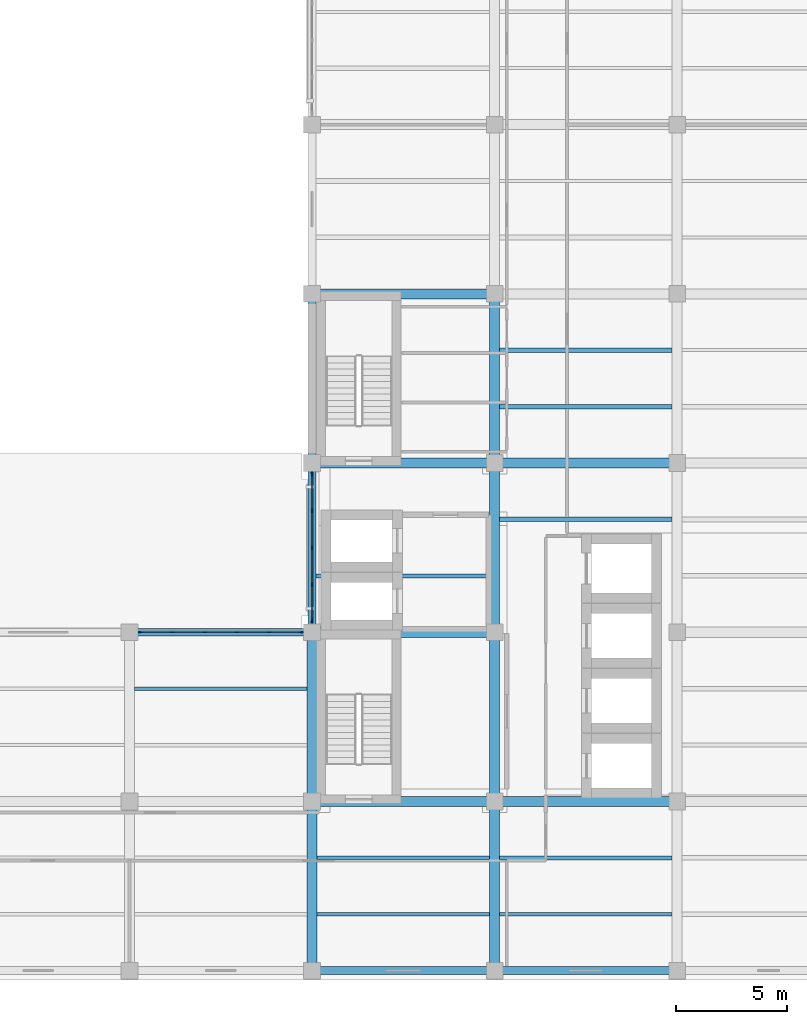
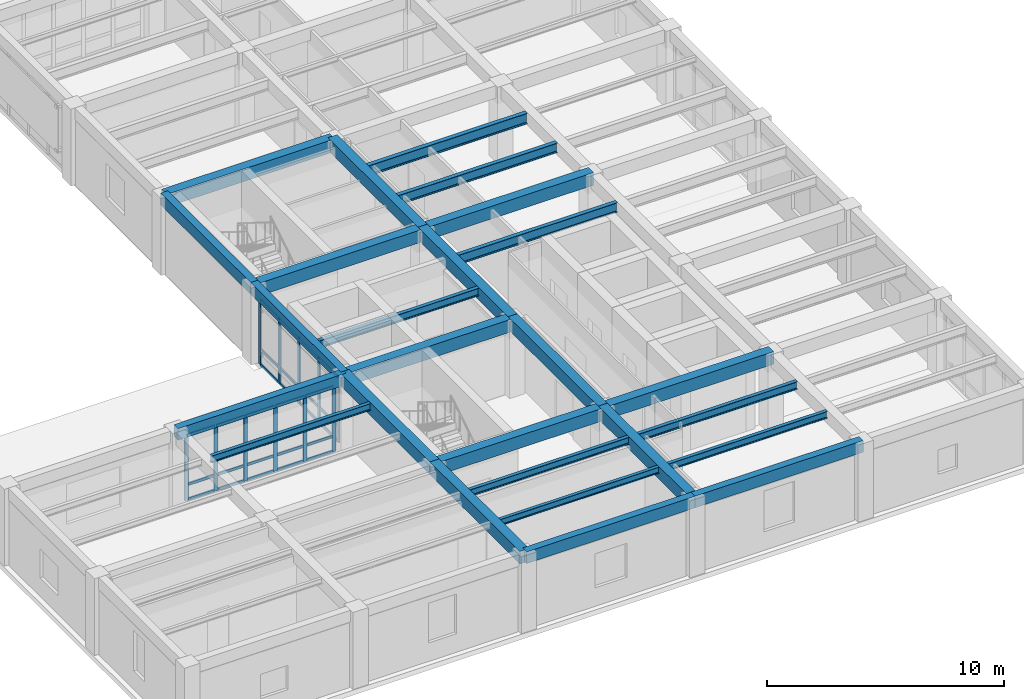
# One storey, part 2 of 12: 38 members, 26 beams, 2 elements without a shape of their own.
"""IFC4 building model written with IfcOpenShell, lengths in metres."""

from ifc_helpers import new_model, si_unit, direction, frame, origin, origin_2d, place, context, subcontext, project, spatial, rectangle, i_section, extrude, material, material_profile, profile_set, type_object, element, aggregate, save


model = new_model("IFC4")

# Units and contexts
model_context = context("Model", 3, precision=1e-05, world=origin(), true_north=direction((0.0, 1.0)))
body_context = subcontext(model_context, "Body", "Model", "MODEL_VIEW")
ifc_project = project(units=[si_unit("LENGTHUNIT", "METRE"), si_unit("AREAUNIT", "SQUARE_METRE"), si_unit("VOLUMEUNIT", "CUBIC_METRE"), si_unit("PLANEANGLEUNIT", "RADIAN"), si_unit("MASSUNIT", "GRAM", prefix="KILO")], contexts=[model_context])

# Site, building, storey
site_placement = place(None, origin())
site = spatial("IfcSite", under=ifc_project, at=site_placement, CompositionType="ELEMENT")
building_placement = place(site_placement, origin())
building = spatial("IfcBuilding", under=site, at=building_placement, Name="Qandaris Square Conservatory and Botanical Centre", CompositionType="ELEMENT")
storey_placement = place(building_placement, frame((0.0, 0.0, 53.39990234375)))
storey = spatial("IfcBuildingStorey", under=building, at=storey_placement, Name="L12", CompositionType="ELEMENT", Elevation=53.39990234375)

# Beams
ifc_material_1 = material(Name="Steel S355", Category="steel")
ifc_material_profile_1 = material_profile(ifc_material_1, i_section(OverallWidth=0.199951171875, OverallDepth=0.5, WebThickness=0.01025390625, FlangeThickness=0.01611328125, FilletRadius=0.02099609375, at=origin_2d()), Name="IPE 500")
ifc_profile_set_1 = profile_set([ifc_material_profile_1], Name="Steel S355")
beam_type_1 = type_object("IfcBeamType", Name="Composite Gallery Joist IPE 500", PredefinedType="JOIST", material=ifc_profile_set_1)
for number, where, z_axis, x_axis, name in (
    (1, (147.625, 36.86669921875, 3.7001953125), (1.0, 0.0, 0.0), (0.0, 1.0, 0.0), "L12 Composite Joist 2715"),
    (2, (147.625, 41.933349609375, 3.7001953125), (1.0, 0.0, 0.0), (0.0, 1.0, 0.0), "L12 Composite Joist 2716"),
):
    element("IfcBeam", number, at=place(storey_placement, frame(where, z_axis=z_axis, x_axis=x_axis)), inside=storey, type_object=beam_type_1, Name=name, PredefinedType="JOIST", context=body_context, shape_type="SweptSolid", body=[
        extrude(i_section(OverallWidth=0.199951171875, OverallDepth=0.5, WebThickness=0.01025390625, FlangeThickness=0.01611328125, FilletRadius=0.02099609375, at=origin_2d()), origin(), (0.0, 0.0, 1.0), 7.75),
    ])
ifc_material_profile_2 = material_profile(ifc_material_1, i_section(OverallWidth=0.159912109375, OverallDepth=0.330078125, WebThickness=0.007568359375, FlangeThickness=0.011474609375, FilletRadius=0.01806640625, at=origin_2d()), Name="IPE 330")
ifc_profile_set_2 = profile_set([ifc_material_profile_2], Name="Steel S355")
beam_type_2 = type_object("IfcBeamType", Name="Composite Lab Joist IPE 330", PredefinedType="JOIST", material=ifc_profile_set_2)
beam_1_placement = place(storey_placement, frame((139.425048828125, 19.13330078125, 3.78515625), z_axis=(1.0, 0.0, 0.0), x_axis=(0.0, 1.0, 0.0)))
element("IfcBeam", 3, at=beam_1_placement, inside=storey, type_object=beam_type_2, Name="L12 Composite Joist 2706", PredefinedType="JOIST", context=body_context, shape_type="SweptSolid", body=[
    extrude(i_section(OverallWidth=0.159912109375, OverallDepth=0.330078125, WebThickness=0.007568359375, FlangeThickness=0.011474609375, FilletRadius=0.01806640625, at=origin_2d()), origin(), (0.0, 0.0, 1.0), 7.75),
])
ifc_material_profile_3 = material_profile(ifc_material_1, i_section(OverallWidth=0.169921875, OverallDepth=0.360107421875, WebThickness=0.008056640625, FlangeThickness=0.0126953125, FilletRadius=0.01806640625, at=origin_2d()), Name="IPE 360")
ifc_profile_set_3 = profile_set([ifc_material_profile_3], Name="Steel S355")
beam_type_3 = type_object("IfcBeamType", Name="Composite Lab Joist IPE 360", PredefinedType="JOIST", material=ifc_profile_set_3)
for number, where, z_axis, x_axis, name in (
    (4, (131.22509765625, 29.2666015625, 3.77001953125), (1.0, 0.0, 0.0), (0.0, 1.0, 0.0), "L12 Composite Joist 2705"),
    (5, (139.425048828125, 21.666748046875, 3.77001953125), (1.0, 0.0, 0.0), (0.0, 1.0, 0.0), "L12 Composite Joist 2707"),
    (6, (147.625, 19.13330078125, 3.77001953125), (1.0, 0.0, 0.0), (0.0, 1.0, 0.0), "L12 Composite Joist 2713"),
):
    element("IfcBeam", number, at=place(storey_placement, frame(where, z_axis=z_axis, x_axis=x_axis)), inside=storey, type_object=beam_type_3, Name=name, PredefinedType="JOIST", context=body_context, shape_type="SweptSolid", body=[
        extrude(i_section(OverallWidth=0.169921875, OverallDepth=0.360107421875, WebThickness=0.008056640625, FlangeThickness=0.0126953125, FilletRadius=0.01806640625, at=origin_2d()), origin(), (0.0, 0.0, 1.0), 7.75),
    ])
ifc_material_profile_4 = material_profile(ifc_material_1, i_section(OverallWidth=0.179931640625, OverallDepth=0.39990234375, WebThickness=0.008544921875, FlangeThickness=0.013427734375, FilletRadius=0.02099609375, at=origin_2d()), Name="IPE 400")
ifc_profile_set_4 = profile_set([ifc_material_profile_4], Name="Steel S355")
beam_type_4 = type_object("IfcBeamType", Name="Composite Plinth Joist IPE 400", PredefinedType="JOIST", material=ifc_profile_set_4)
beam_2_placement = place(storey_placement, frame((139.375, 34.333251953125, 3.75), z_axis=(1.0, 0.0, 0.0), x_axis=(0.0, 1.0, 0.0)))
element("IfcBeam", 7, at=beam_2_placement, inside=storey, type_object=beam_type_4, Name="L12 Composite Joist 2708", PredefinedType="JOIST", context=body_context, shape_type="SweptSolid", body=[
    extrude(i_section(OverallWidth=0.179931640625, OverallDepth=0.39990234375, WebThickness=0.008544921875, FlangeThickness=0.013427734375, FilletRadius=0.02099609375, at=origin_2d()), origin(), (0.0, 0.0, 1.0), 7.800048828125),
])
beam_3_placement = place(storey_placement, frame((147.625, 21.666748046875, 3.75), z_axis=(1.0, 0.0, 0.0), x_axis=(0.0, 1.0, 0.0)))
element("IfcBeam", 8, at=beam_3_placement, inside=storey, type_object=beam_type_4, Name="L12 Composite Joist 2714", PredefinedType="JOIST", context=body_context, shape_type="SweptSolid", body=[
    extrude(i_section(OverallWidth=0.179931640625, OverallDepth=0.39990234375, WebThickness=0.008544921875, FlangeThickness=0.013427734375, FilletRadius=0.02099609375, at=origin_2d()), origin(), (0.0, 0.0, 1.0), 7.75),
])

# Curtain wall, members
ifc_material_2 = material(Name="Anodised Aluminium", Category="aluminium")
curtain_wall_type_1 = type_object("IfcCurtainWallType", Name="Unitised Curtain Wall CW-4-665x336", PredefinedType="USERDEFINED", material=ifc_material_2)
curtain_wall_1_placement = place(storey_placement, origin())
curtain_wall_1 = element("IfcCurtainWall", 9, at=curtain_wall_1_placement, inside=storey, type_object=curtain_wall_type_1, Name="Curtain Wall CW-TWR-L12-4-4", ObjectType="GLAZED CURTAIN WALL", PredefinedType="USERDEFINED")
ifc_material_profile_5 = material_profile(ifc_material_2, rectangle(XDim=0.06494140625, YDim=0.179931640625, at=origin_2d()), Name="ALU-MUL 65x180")
ifc_profile_set_5 = profile_set([ifc_material_profile_5], Name="Anodised Aluminium")
member_type_1 = type_object("IfcMemberType", Name="Curtain Wall Mullion 65x180", PredefinedType="MULLION", material=ifc_profile_set_5)
member_1_placement = place(storey_placement, frame((139.199951171875, 38.892578125, 0.0), z_axis=(0.0, 0.0, 1.0), x_axis=(1.0, 0.0, 0.0)))
member_1 = element("IfcMember", 10, at=member_1_placement, type_object=member_type_1, Name="CW-4-665x336 mullion 1", PredefinedType="MULLION", context=body_context, shape_type="SweptSolid", body=[
    extrude(rectangle(XDim=0.06494140625, YDim=0.179931640625, at=origin_2d()), origin(), (0.0, 0.0, 1.0), 3.360107421875),
])
member_2_placement = place(storey_placement, frame((139.199951171875, 37.262451171875, 0.0), z_axis=(0.0, 0.0, 1.0), x_axis=(1.0, 0.0, 0.0)))
member_2 = element("IfcMember", 11, at=member_2_placement, type_object=member_type_1, Name="CW-4-665x336 mullion 2", PredefinedType="MULLION", context=body_context, shape_type="SweptSolid", body=[
    extrude(rectangle(XDim=0.06494140625, YDim=0.179931640625, at=origin_2d()), origin(), (0.0, 0.0, 1.0), 3.360107421875),
])
member_3_placement = place(storey_placement, frame((139.199951171875, 35.60009765625, 0.0), z_axis=(0.0, 0.0, 1.0), x_axis=(1.0, 0.0, 0.0)))
member_3 = element("IfcMember", 12, at=member_3_placement, type_object=member_type_1, Name="CW-4-665x336 mullion 3", PredefinedType="MULLION", context=body_context, shape_type="SweptSolid", body=[
    extrude(rectangle(XDim=0.06494140625, YDim=0.179931640625, at=origin_2d()), origin(), (0.0, 0.0, 1.0), 3.360107421875),
])
member_4_placement = place(storey_placement, frame((139.199951171875, 33.9375, 0.0), z_axis=(0.0, 0.0, 1.0), x_axis=(1.0, 0.0, 0.0)))
member_4 = element("IfcMember", 13, at=member_4_placement, type_object=member_type_1, Name="CW-4-665x336 mullion 4", PredefinedType="MULLION", context=body_context, shape_type="SweptSolid", body=[
    extrude(rectangle(XDim=0.06494140625, YDim=0.179931640625, at=origin_2d()), origin(), (0.0, 0.0, 1.0), 3.360107421875),
])
member_5_placement = place(storey_placement, frame((139.199951171875, 32.3076171875, 0.0), z_axis=(0.0, 0.0, 1.0), x_axis=(1.0, 0.0, 0.0)))
member_5 = element("IfcMember", 14, at=member_5_placement, type_object=member_type_1, Name="CW-4-665x336 mullion 5", PredefinedType="MULLION", context=body_context, shape_type="SweptSolid", body=[
    extrude(rectangle(XDim=0.06494140625, YDim=0.179931640625, at=origin_2d()), origin(), (0.0, 0.0, 1.0), 3.360107421875),
])

curtain_wall_type_2 = type_object("IfcCurtainWallType", Name="Unitised Curtain Wall CW-4-725x336", PredefinedType="USERDEFINED", material=ifc_material_2)
curtain_wall_2_placement = place(storey_placement, origin())
curtain_wall_2 = element("IfcCurtainWall", 15, at=curtain_wall_2_placement, inside=storey, type_object=curtain_wall_type_2, Name="Curtain Wall CW-TWR-L12-5-1", ObjectType="GLAZED CURTAIN WALL", PredefinedType="USERDEFINED")
member_6_placement = place(storey_placement, frame((138.6923828125, 31.800048828125, 0.0), z_axis=(0.0, 0.0, 1.0), x_axis=(0.0, -1.0, 0.0)))
member_6 = element("IfcMember", 16, at=member_6_placement, type_object=member_type_1, Name="CW-4-725x336 mullion 1", PredefinedType="MULLION", context=body_context, shape_type="SweptSolid", body=[
    extrude(rectangle(XDim=0.06494140625, YDim=0.179931640625, at=origin_2d()), origin(), (0.0, 0.0, 1.0), 3.360107421875),
])
member_7_placement = place(storey_placement, frame((137.27490234375, 31.800048828125, 0.0), z_axis=(0.0, 0.0, 1.0), x_axis=(0.0, -1.0, 0.0)))
member_7 = element("IfcMember", 17, at=member_7_placement, type_object=member_type_1, Name="CW-4-725x336 mullion 2", PredefinedType="MULLION", context=body_context, shape_type="SweptSolid", body=[
    extrude(rectangle(XDim=0.06494140625, YDim=0.179931640625, at=origin_2d()), origin(), (0.0, 0.0, 1.0), 3.360107421875),
])
member_8_placement = place(storey_placement, frame((135.824951171875, 31.800048828125, 0.0), z_axis=(0.0, 0.0, 1.0), x_axis=(0.0, -1.0, 0.0)))
member_8 = element("IfcMember", 18, at=member_8_placement, type_object=member_type_1, Name="CW-4-725x336 mullion 3", PredefinedType="MULLION", context=body_context, shape_type="SweptSolid", body=[
    extrude(rectangle(XDim=0.06494140625, YDim=0.179931640625, at=origin_2d()), origin(), (0.0, 0.0, 1.0), 3.360107421875),
])
member_9_placement = place(storey_placement, frame((134.375, 31.800048828125, 0.0), z_axis=(0.0, 0.0, 1.0), x_axis=(0.0, -1.0, 0.0)))
member_9 = element("IfcMember", 19, at=member_9_placement, type_object=member_type_1, Name="CW-4-725x336 mullion 4", PredefinedType="MULLION", context=body_context, shape_type="SweptSolid", body=[
    extrude(rectangle(XDim=0.06494140625, YDim=0.179931640625, at=origin_2d()), origin(), (0.0, 0.0, 1.0), 3.360107421875),
])
member_10_placement = place(storey_placement, frame((132.925048828125, 31.800048828125, 0.0), z_axis=(0.0, 0.0, 1.0), x_axis=(0.0, -1.0, 0.0)))
member_10 = element("IfcMember", 20, at=member_10_placement, type_object=member_type_1, Name="CW-4-725x336 mullion 5", PredefinedType="MULLION", context=body_context, shape_type="SweptSolid", body=[
    extrude(rectangle(XDim=0.06494140625, YDim=0.179931640625, at=origin_2d()), origin(), (0.0, 0.0, 1.0), 3.360107421875),
])
member_11_placement = place(storey_placement, frame((131.507568359375, 31.800048828125, 0.0), z_axis=(0.0, 0.0, 1.0), x_axis=(0.0, -1.0, 0.0)))
member_11 = element("IfcMember", 21, at=member_11_placement, type_object=member_type_1, Name="CW-4-725x336 mullion 6", PredefinedType="MULLION", context=body_context, shape_type="SweptSolid", body=[
    extrude(rectangle(XDim=0.06494140625, YDim=0.179931640625, at=origin_2d()), origin(), (0.0, 0.0, 1.0), 3.360107421875),
])

# Member
ifc_material_profile_6 = material_profile(ifc_material_2, rectangle(XDim=0.06494140625, YDim=0.139892578125, at=origin_2d()), Name="ALU-TRN 65x140")
ifc_profile_set_6 = profile_set([ifc_material_profile_6], Name="Anodised Aluminium")
member_type_2 = type_object("IfcMemberType", Name="Curtain Wall Transom 65x140", PredefinedType="USERDEFINED", material=ifc_profile_set_6)
member_12_placement = place(storey_placement, frame((139.199951171875, 38.860107421875, 0.03271484375), z_axis=(0.0, -1.0, 0.0), x_axis=(1.0, 0.0, 0.0)))
member_12 = element("IfcMember", 22, at=member_12_placement, type_object=member_type_2, Name="CW-4-665x336 transom 1.1", ObjectType="TRANSOM", PredefinedType="USERDEFINED", context=body_context, shape_type="SweptSolid", body=[
    extrude(rectangle(XDim=0.06494140625, YDim=0.139892578125, at=origin_2d()), origin(), (0.0, 0.0, 1.0), 1.565185546875),
])

member_13_placement = place(storey_placement, frame((139.199951171875, 38.860107421875, 0.806396484375), z_axis=(0.0, -1.0, 0.0), x_axis=(1.0, 0.0, 0.0)))
member_13 = element("IfcMember", 23, at=member_13_placement, type_object=member_type_2, Name="CW-4-665x336 transom 1.2", ObjectType="TRANSOM", PredefinedType="USERDEFINED", context=body_context, shape_type="SweptSolid", body=[
    extrude(rectangle(XDim=0.06494140625, YDim=0.139892578125, at=origin_2d()), origin(), (0.0, 0.0, 1.0), 1.565185546875),
])

member_14_placement = place(storey_placement, frame((139.199951171875, 38.860107421875, 3.32763671875), z_axis=(0.0, -1.0, 0.0), x_axis=(1.0, 0.0, 0.0)))
member_14 = element("IfcMember", 24, at=member_14_placement, type_object=member_type_2, Name="CW-4-665x336 transom 1.3", ObjectType="TRANSOM", PredefinedType="USERDEFINED", context=body_context, shape_type="SweptSolid", body=[
    extrude(rectangle(XDim=0.06494140625, YDim=0.139892578125, at=origin_2d()), origin(), (0.0, 0.0, 1.0), 1.565185546875),
])

member_15_placement = place(storey_placement, frame((139.199951171875, 37.22998046875, 0.03271484375), z_axis=(0.0, -1.0, 0.0), x_axis=(1.0, 0.0, 0.0)))
member_15 = element("IfcMember", 25, at=member_15_placement, type_object=member_type_2, Name="CW-4-665x336 transom 2.1", ObjectType="TRANSOM", PredefinedType="USERDEFINED", context=body_context, shape_type="SweptSolid", body=[
    extrude(rectangle(XDim=0.06494140625, YDim=0.139892578125, at=origin_2d()), origin(), (0.0, 0.0, 1.0), 1.597412109375),
])

member_16_placement = place(storey_placement, frame((139.199951171875, 37.22998046875, 0.806396484375), z_axis=(0.0, -1.0, 0.0), x_axis=(1.0, 0.0, 0.0)))
member_16 = element("IfcMember", 26, at=member_16_placement, type_object=member_type_2, Name="CW-4-665x336 transom 2.2", ObjectType="TRANSOM", PredefinedType="USERDEFINED", context=body_context, shape_type="SweptSolid", body=[
    extrude(rectangle(XDim=0.06494140625, YDim=0.139892578125, at=origin_2d()), origin(), (0.0, 0.0, 1.0), 1.597412109375),
])

member_17_placement = place(storey_placement, frame((139.199951171875, 37.22998046875, 3.32763671875), z_axis=(0.0, -1.0, 0.0), x_axis=(1.0, 0.0, 0.0)))
member_17 = element("IfcMember", 27, at=member_17_placement, type_object=member_type_2, Name="CW-4-665x336 transom 2.3", ObjectType="TRANSOM", PredefinedType="USERDEFINED", context=body_context, shape_type="SweptSolid", body=[
    extrude(rectangle(XDim=0.06494140625, YDim=0.139892578125, at=origin_2d()), origin(), (0.0, 0.0, 1.0), 1.597412109375),
])

member_18_placement = place(storey_placement, frame((139.199951171875, 35.5673828125, 0.03271484375), z_axis=(0.0, -1.0, 0.0), x_axis=(1.0, 0.0, 0.0)))
member_18 = element("IfcMember", 28, at=member_18_placement, type_object=member_type_2, Name="CW-4-665x336 transom 3.1", ObjectType="TRANSOM", PredefinedType="USERDEFINED", context=body_context, shape_type="SweptSolid", body=[
    extrude(rectangle(XDim=0.06494140625, YDim=0.139892578125, at=origin_2d()), origin(), (0.0, 0.0, 1.0), 1.597412109375),
])

member_19_placement = place(storey_placement, frame((139.199951171875, 35.5673828125, 0.806396484375), z_axis=(0.0, -1.0, 0.0), x_axis=(1.0, 0.0, 0.0)))
member_19 = element("IfcMember", 29, at=member_19_placement, type_object=member_type_2, Name="CW-4-665x336 transom 3.2", ObjectType="TRANSOM", PredefinedType="USERDEFINED", context=body_context, shape_type="SweptSolid", body=[
    extrude(rectangle(XDim=0.06494140625, YDim=0.139892578125, at=origin_2d()), origin(), (0.0, 0.0, 1.0), 1.597412109375),
])

member_20_placement = place(storey_placement, frame((139.199951171875, 35.5673828125, 3.32763671875), z_axis=(0.0, -1.0, 0.0), x_axis=(1.0, 0.0, 0.0)))
member_20 = element("IfcMember", 30, at=member_20_placement, type_object=member_type_2, Name="CW-4-665x336 transom 3.3", ObjectType="TRANSOM", PredefinedType="USERDEFINED", context=body_context, shape_type="SweptSolid", body=[
    extrude(rectangle(XDim=0.06494140625, YDim=0.139892578125, at=origin_2d()), origin(), (0.0, 0.0, 1.0), 1.597412109375),
])

member_21_placement = place(storey_placement, frame((139.199951171875, 33.905029296875, 0.03271484375), z_axis=(0.0, -1.0, 0.0), x_axis=(1.0, 0.0, 0.0)))
member_21 = element("IfcMember", 31, at=member_21_placement, type_object=member_type_2, Name="CW-4-665x336 transom 4.1", ObjectType="TRANSOM", PredefinedType="USERDEFINED", context=body_context, shape_type="SweptSolid", body=[
    extrude(rectangle(XDim=0.06494140625, YDim=0.139892578125, at=origin_2d()), origin(), (0.0, 0.0, 1.0), 1.56494140625),
])

member_22_placement = place(storey_placement, frame((139.199951171875, 33.905029296875, 0.806396484375), z_axis=(0.0, -1.0, 0.0), x_axis=(1.0, 0.0, 0.0)))
member_22 = element("IfcMember", 32, at=member_22_placement, type_object=member_type_2, Name="CW-4-665x336 transom 4.2", ObjectType="TRANSOM", PredefinedType="USERDEFINED", context=body_context, shape_type="SweptSolid", body=[
    extrude(rectangle(XDim=0.06494140625, YDim=0.139892578125, at=origin_2d()), origin(), (0.0, 0.0, 1.0), 1.56494140625),
])

member_23_placement = place(storey_placement, frame((139.199951171875, 33.905029296875, 3.32763671875), z_axis=(0.0, -1.0, 0.0), x_axis=(1.0, 0.0, 0.0)))
member_23 = element("IfcMember", 33, at=member_23_placement, type_object=member_type_2, Name="CW-4-665x336 transom 4.3", ObjectType="TRANSOM", PredefinedType="USERDEFINED", context=body_context, shape_type="SweptSolid", body=[
    extrude(rectangle(XDim=0.06494140625, YDim=0.139892578125, at=origin_2d()), origin(), (0.0, 0.0, 1.0), 1.56494140625),
])

aggregate(curtain_wall_1, [member_1, member_2, member_3, member_4, member_5, member_12, member_13, member_14, member_15, member_16, member_17, member_18, member_19, member_20, member_21, member_22, member_23])

member_24_placement = place(storey_placement, frame((138.659912109375, 31.800048828125, 0.03271484375), z_axis=(-1.0, 0.0, 0.0), x_axis=(0.0, -1.0, 0.0)))
member_24 = element("IfcMember", 34, at=member_24_placement, type_object=member_type_2, Name="CW-4-725x336 transom 1.1", ObjectType="TRANSOM", PredefinedType="USERDEFINED", context=body_context, shape_type="SweptSolid", body=[
    extrude(rectangle(XDim=0.06494140625, YDim=0.139892578125, at=origin_2d()), origin(), (0.0, 0.0, 1.0), 1.352294921875),
])

member_25_placement = place(storey_placement, frame((138.659912109375, 31.800048828125, 0.806396484375), z_axis=(-1.0, 0.0, 0.0), x_axis=(0.0, -1.0, 0.0)))
member_25 = element("IfcMember", 35, at=member_25_placement, type_object=member_type_2, Name="CW-4-725x336 transom 1.2", ObjectType="TRANSOM", PredefinedType="USERDEFINED", context=body_context, shape_type="SweptSolid", body=[
    extrude(rectangle(XDim=0.06494140625, YDim=0.139892578125, at=origin_2d()), origin(), (0.0, 0.0, 1.0), 1.352294921875),
])

member_26_placement = place(storey_placement, frame((138.659912109375, 31.800048828125, 3.32763671875), z_axis=(-1.0, 0.0, 0.0), x_axis=(0.0, -1.0, 0.0)))
member_26 = element("IfcMember", 36, at=member_26_placement, type_object=member_type_2, Name="CW-4-725x336 transom 1.3", ObjectType="TRANSOM", PredefinedType="USERDEFINED", context=body_context, shape_type="SweptSolid", body=[
    extrude(rectangle(XDim=0.06494140625, YDim=0.139892578125, at=origin_2d()), origin(), (0.0, 0.0, 1.0), 1.352294921875),
])

member_27_placement = place(storey_placement, frame((137.242431640625, 31.800048828125, 0.03271484375), z_axis=(-1.0, 0.0, 0.0), x_axis=(0.0, -1.0, 0.0)))
member_27 = element("IfcMember", 37, at=member_27_placement, type_object=member_type_2, Name="CW-4-725x336 transom 2.1", ObjectType="TRANSOM", PredefinedType="USERDEFINED", context=body_context, shape_type="SweptSolid", body=[
    extrude(rectangle(XDim=0.06494140625, YDim=0.139892578125, at=origin_2d()), origin(), (0.0, 0.0, 1.0), 1.385009765625),
])

member_28_placement = place(storey_placement, frame((137.242431640625, 31.800048828125, 0.806396484375), z_axis=(-1.0, 0.0, 0.0), x_axis=(0.0, -1.0, 0.0)))
member_28 = element("IfcMember", 38, at=member_28_placement, type_object=member_type_2, Name="CW-4-725x336 transom 2.2", ObjectType="TRANSOM", PredefinedType="USERDEFINED", context=body_context, shape_type="SweptSolid", body=[
    extrude(rectangle(XDim=0.06494140625, YDim=0.139892578125, at=origin_2d()), origin(), (0.0, 0.0, 1.0), 1.385009765625),
])

member_29_placement = place(storey_placement, frame((137.242431640625, 31.800048828125, 3.32763671875), z_axis=(-1.0, 0.0, 0.0), x_axis=(0.0, -1.0, 0.0)))
member_29 = element("IfcMember", 39, at=member_29_placement, type_object=member_type_2, Name="CW-4-725x336 transom 2.3", ObjectType="TRANSOM", PredefinedType="USERDEFINED", context=body_context, shape_type="SweptSolid", body=[
    extrude(rectangle(XDim=0.06494140625, YDim=0.139892578125, at=origin_2d()), origin(), (0.0, 0.0, 1.0), 1.385009765625),
])

member_30_placement = place(storey_placement, frame((135.79248046875, 31.800048828125, 0.03271484375), z_axis=(-1.0, 0.0, 0.0), x_axis=(0.0, -1.0, 0.0)))
member_30 = element("IfcMember", 40, at=member_30_placement, type_object=member_type_2, Name="CW-4-725x336 transom 3.1", ObjectType="TRANSOM", PredefinedType="USERDEFINED", context=body_context, shape_type="SweptSolid", body=[
    extrude(rectangle(XDim=0.06494140625, YDim=0.139892578125, at=origin_2d()), origin(), (0.0, 0.0, 1.0), 1.385009765625),
])

member_31_placement = place(storey_placement, frame((135.79248046875, 31.800048828125, 0.806396484375), z_axis=(-1.0, 0.0, 0.0), x_axis=(0.0, -1.0, 0.0)))
member_31 = element("IfcMember", 41, at=member_31_placement, type_object=member_type_2, Name="CW-4-725x336 transom 3.2", ObjectType="TRANSOM", PredefinedType="USERDEFINED", context=body_context, shape_type="SweptSolid", body=[
    extrude(rectangle(XDim=0.06494140625, YDim=0.139892578125, at=origin_2d()), origin(), (0.0, 0.0, 1.0), 1.385009765625),
])

member_32_placement = place(storey_placement, frame((135.79248046875, 31.800048828125, 3.32763671875), z_axis=(-1.0, 0.0, 0.0), x_axis=(0.0, -1.0, 0.0)))
member_32 = element("IfcMember", 42, at=member_32_placement, type_object=member_type_2, Name="CW-4-725x336 transom 3.3", ObjectType="TRANSOM", PredefinedType="USERDEFINED", context=body_context, shape_type="SweptSolid", body=[
    extrude(rectangle(XDim=0.06494140625, YDim=0.139892578125, at=origin_2d()), origin(), (0.0, 0.0, 1.0), 1.385009765625),
])

member_33_placement = place(storey_placement, frame((134.342529296875, 31.800048828125, 0.03271484375), z_axis=(-1.0, 0.0, 0.0), x_axis=(0.0, -1.0, 0.0)))
member_33 = element("IfcMember", 43, at=member_33_placement, type_object=member_type_2, Name="CW-4-725x336 transom 4.1", ObjectType="TRANSOM", PredefinedType="USERDEFINED", context=body_context, shape_type="SweptSolid", body=[
    extrude(rectangle(XDim=0.06494140625, YDim=0.139892578125, at=origin_2d()), origin(), (0.0, 0.0, 1.0), 1.385009765625),
])

member_34_placement = place(storey_placement, frame((134.342529296875, 31.800048828125, 0.806396484375), z_axis=(-1.0, 0.0, 0.0), x_axis=(0.0, -1.0, 0.0)))
member_34 = element("IfcMember", 44, at=member_34_placement, type_object=member_type_2, Name="CW-4-725x336 transom 4.2", ObjectType="TRANSOM", PredefinedType="USERDEFINED", context=body_context, shape_type="SweptSolid", body=[
    extrude(rectangle(XDim=0.06494140625, YDim=0.139892578125, at=origin_2d()), origin(), (0.0, 0.0, 1.0), 1.385009765625),
])

member_35_placement = place(storey_placement, frame((134.342529296875, 31.800048828125, 3.32763671875), z_axis=(-1.0, 0.0, 0.0), x_axis=(0.0, -1.0, 0.0)))
member_35 = element("IfcMember", 45, at=member_35_placement, type_object=member_type_2, Name="CW-4-725x336 transom 4.3", ObjectType="TRANSOM", PredefinedType="USERDEFINED", context=body_context, shape_type="SweptSolid", body=[
    extrude(rectangle(XDim=0.06494140625, YDim=0.139892578125, at=origin_2d()), origin(), (0.0, 0.0, 1.0), 1.385009765625),
])

member_36_placement = place(storey_placement, frame((132.892578125, 31.800048828125, 0.03271484375), z_axis=(-1.0, 0.0, 0.0), x_axis=(0.0, -1.0, 0.0)))
member_36 = element("IfcMember", 46, at=member_36_placement, type_object=member_type_2, Name="CW-4-725x336 transom 5.1", ObjectType="TRANSOM", PredefinedType="USERDEFINED", context=body_context, shape_type="SweptSolid", body=[
    extrude(rectangle(XDim=0.06494140625, YDim=0.139892578125, at=origin_2d()), origin(), (0.0, 0.0, 1.0), 1.3525390625),
])

member_37_placement = place(storey_placement, frame((132.892578125, 31.800048828125, 0.806396484375), z_axis=(-1.0, 0.0, 0.0), x_axis=(0.0, -1.0, 0.0)))
member_37 = element("IfcMember", 47, at=member_37_placement, type_object=member_type_2, Name="CW-4-725x336 transom 5.2", ObjectType="TRANSOM", PredefinedType="USERDEFINED", context=body_context, shape_type="SweptSolid", body=[
    extrude(rectangle(XDim=0.06494140625, YDim=0.139892578125, at=origin_2d()), origin(), (0.0, 0.0, 1.0), 1.3525390625),
])

member_38_placement = place(storey_placement, frame((132.892578125, 31.800048828125, 3.32763671875), z_axis=(-1.0, 0.0, 0.0), x_axis=(0.0, -1.0, 0.0)))
member_38 = element("IfcMember", 48, at=member_38_placement, type_object=member_type_2, Name="CW-4-725x336 transom 5.3", ObjectType="TRANSOM", PredefinedType="USERDEFINED", context=body_context, shape_type="SweptSolid", body=[
    extrude(rectangle(XDim=0.06494140625, YDim=0.139892578125, at=origin_2d()), origin(), (0.0, 0.0, 1.0), 1.3525390625),
])

aggregate(curtain_wall_2, [member_6, member_7, member_8, member_9, member_10, member_11, member_24, member_25, member_26, member_27, member_28, member_29, member_30, member_31, member_32, member_33, member_34, member_35, member_36, member_37, member_38])

# Beams
ifc_material_profile_7 = material_profile(ifc_material_1, i_section(OverallWidth=0.2099609375, OverallDepth=0.550048828125, WebThickness=0.010986328125, FlangeThickness=0.01708984375, FilletRadius=0.02392578125, at=origin_2d()), Name="IPE 550")
ifc_profile_set_7 = profile_set([ifc_material_profile_7], Name="Steel S355")
beam_type_5 = type_object("IfcBeamType", Name="Long-Span Foyer Joist IPE 550", PredefinedType="JOIST", material=ifc_profile_set_7)
beam_4_placement = place(storey_placement, frame((147.625, 44.466796875, 3.675048828125), z_axis=(1.0, 0.0, 0.0), x_axis=(0.0, 1.0, 0.0)))
element("IfcBeam", 49, at=beam_4_placement, inside=storey, type_object=beam_type_5, Name="L12 Composite Joist 2717", PredefinedType="JOIST", context=body_context, shape_type="SweptSolid", body=[
    extrude(i_section(OverallWidth=0.2099609375, OverallDepth=0.550048828125, WebThickness=0.010986328125, FlangeThickness=0.01708984375, FilletRadius=0.02392578125, at=origin_2d()), origin(), (0.0, 0.0, 1.0), 7.75),
])
ifc_material_3 = material(Name="Concrete C50/60", Category="concrete")
ifc_material_profile_8 = material_profile(ifc_material_3, rectangle(XDim=0.35009765625, YDim=0.60009765625, at=origin_2d()), Name="RC-SP 350x600")
ifc_profile_set_8 = profile_set([ifc_material_profile_8], Name="Concrete C50/60")
beam_type_6 = type_object("IfcBeamType", Name="RC Edge Spandrel Beam 350x600", PredefinedType="SPANDREL", material=ifc_profile_set_8)
beam_5_placement = place(storey_placement, frame((139.199951171875, 16.60009765625, 3.66015625), z_axis=(1.0, 0.0, 0.0), x_axis=(0.0, 1.0, 0.0)))
element("IfcBeam", 50, at=beam_5_placement, inside=storey, type_object=beam_type_6, Name="L12 Frame Beam 2646", PredefinedType="SPANDREL", context=body_context, shape_type="SweptSolid", body=[
    extrude(rectangle(XDim=0.35009765625, YDim=0.60009765625, at=origin_2d()), origin(), (0.0, 0.0, 1.0), 8.199951171875),
])
beam_6_placement = place(storey_placement, frame((147.39990234375, 16.60009765625, 3.66015625), z_axis=(1.0, 0.0, 0.0), x_axis=(0.0, 1.0, 0.0)))
element("IfcBeam", 51, at=beam_6_placement, inside=storey, type_object=beam_type_6, Name="L12 Frame Beam 2647", PredefinedType="SPANDREL", context=body_context, shape_type="SweptSolid", body=[
    extrude(rectangle(XDim=0.35009765625, YDim=0.60009765625, at=origin_2d()), origin(), (0.0, 0.0, 1.0), 8.2001953125),
])
beam_7_placement = place(storey_placement, frame((131.0, 31.800048828125, 3.66015625), z_axis=(1.0, 0.0, 0.0), x_axis=(0.0, 1.0, 0.0)))
element("IfcBeam", 52, at=beam_7_placement, inside=storey, type_object=beam_type_6, Name="L12 Frame Beam 2655", PredefinedType="SPANDREL", context=body_context, shape_type="SweptSolid", body=[
    extrude(rectangle(XDim=0.35009765625, YDim=0.60009765625, at=origin_2d()), origin(), (0.0, 0.0, 1.0), 8.199951171875),
])
beam_8_placement = place(storey_placement, frame((139.199951171875, 31.800048828125, 3.66015625), z_axis=(0.0, 1.0, 0.0), x_axis=(-1.0, 0.0, 0.0)))
element("IfcBeam", 53, at=beam_8_placement, inside=storey, type_object=beam_type_6, Name="L12 Frame Beam 2676", PredefinedType="SPANDREL", context=body_context, shape_type="SweptSolid", body=[
    extrude(rectangle(XDim=0.35009765625, YDim=0.60009765625, at=origin_2d()), origin(), (0.0, 0.0, 1.0), 7.599853515625),
])
beam_9_placement = place(storey_placement, frame((139.199951171875, 39.39990234375, 3.66015625), z_axis=(0.0, 1.0, 0.0), x_axis=(-1.0, 0.0, 0.0)))
element("IfcBeam", 54, at=beam_9_placement, inside=storey, type_object=beam_type_6, Name="L12 Frame Beam 2677", PredefinedType="SPANDREL", context=body_context, shape_type="SweptSolid", body=[
    extrude(rectangle(XDim=0.35009765625, YDim=0.60009765625, at=origin_2d()), origin(), (0.0, 0.0, 1.0), 7.60009765625),
])
ifc_material_profile_9 = material_profile(ifc_material_3, rectangle(XDim=0.449951171875, YDim=0.64990234375, at=origin_2d()), Name="RC-BM 450x650")
ifc_profile_set_9 = profile_set([ifc_material_profile_9], Name="Concrete C50/60")
beam_type_7 = type_object("IfcBeamType", Name="RC Floor Girder 450x650", PredefinedType="BEAM", material=ifc_profile_set_9)
beam_10_placement = place(storey_placement, frame((139.199951171875, 24.199951171875, 3.635009765625), z_axis=(1.0, 0.0, 0.0), x_axis=(0.0, 1.0, 0.0)))
element("IfcBeam", 55, at=beam_10_placement, inside=storey, type_object=beam_type_7, Name="L12 Frame Beam 2651", PredefinedType="BEAM", context=body_context, shape_type="SweptSolid", body=[
    extrude(rectangle(XDim=0.449951171875, YDim=0.64990234375, at=origin_2d()), origin(), (0.0, 0.0, 1.0), 8.199951171875),
])
beam_11_placement = place(storey_placement, frame((147.39990234375, 24.199951171875, 3.635009765625), z_axis=(1.0, 0.0, 0.0), x_axis=(0.0, 1.0, 0.0)))
element("IfcBeam", 56, at=beam_11_placement, inside=storey, type_object=beam_type_7, Name="L12 Frame Beam 2652", PredefinedType="BEAM", context=body_context, shape_type="SweptSolid", body=[
    extrude(rectangle(XDim=0.449951171875, YDim=0.64990234375, at=origin_2d()), origin(), (0.0, 0.0, 1.0), 8.2001953125),
])
for number, where, z_axis, x_axis, name in (
    (57, (139.199951171875, 31.800048828125, 3.635009765625), (1.0, 0.0, 0.0), (0.0, 1.0, 0.0), "L12 Frame Beam 2656"),
    (58, (139.199951171875, 39.39990234375, 3.635009765625), (1.0, 0.0, 0.0), (0.0, 1.0, 0.0), "L12 Frame Beam 2658"),
):
    element("IfcBeam", number, at=place(storey_placement, frame(where, z_axis=z_axis, x_axis=x_axis)), inside=storey, type_object=beam_type_7, Name=name, PredefinedType="BEAM", context=body_context, shape_type="SweptSolid", body=[
        extrude(rectangle(XDim=0.449951171875, YDim=0.64990234375, at=origin_2d()), origin(), (0.0, 0.0, 1.0), 8.199951171875),
    ])
beam_12_placement = place(storey_placement, frame((147.39990234375, 39.39990234375, 3.635009765625), z_axis=(1.0, 0.0, 0.0), x_axis=(0.0, 1.0, 0.0)))
element("IfcBeam", 59, at=beam_12_placement, inside=storey, type_object=beam_type_7, Name="L12 Frame Beam 2659", PredefinedType="BEAM", context=body_context, shape_type="SweptSolid", body=[
    extrude(rectangle(XDim=0.449951171875, YDim=0.64990234375, at=origin_2d()), origin(), (0.0, 0.0, 1.0), 8.2001953125),
])
beam_13_placement = place(storey_placement, frame((139.199951171875, 47.0, 3.635009765625), z_axis=(1.0, 0.0, 0.0), x_axis=(0.0, 1.0, 0.0)))
element("IfcBeam", 60, at=beam_13_placement, inside=storey, type_object=beam_type_7, Name="L12 Frame Beam 2661", PredefinedType="BEAM", context=body_context, shape_type="SweptSolid", body=[
    extrude(rectangle(XDim=0.449951171875, YDim=0.64990234375, at=origin_2d()), origin(), (0.0, 0.0, 1.0), 8.199951171875),
])
beam_14_placement = place(storey_placement, frame((139.199951171875, 16.60009765625, 3.635009765625), z_axis=(0.0, 1.0, 0.0), x_axis=(-1.0, 0.0, 0.0)))
element("IfcBeam", 61, at=beam_14_placement, inside=storey, type_object=beam_type_7, Name="L12 Frame Beam 2674", PredefinedType="BEAM", context=body_context, shape_type="SweptSolid", body=[
    extrude(rectangle(XDim=0.449951171875, YDim=0.64990234375, at=origin_2d()), origin(), (0.0, 0.0, 1.0), 7.599853515625),
])
beam_15_placement = place(storey_placement, frame((139.199951171875, 24.199951171875, 3.635009765625), z_axis=(0.0, 1.0, 0.0), x_axis=(-1.0, 0.0, 0.0)))
element("IfcBeam", 62, at=beam_15_placement, inside=storey, type_object=beam_type_7, Name="L12 Frame Beam 2675", PredefinedType="BEAM", context=body_context, shape_type="SweptSolid", body=[
    extrude(rectangle(XDim=0.449951171875, YDim=0.64990234375, at=origin_2d()), origin(), (0.0, 0.0, 1.0), 7.60009765625),
])
beam_16_placement = place(storey_placement, frame((147.39990234375, 16.60009765625, 3.635009765625), z_axis=(0.0, 1.0, 0.0), x_axis=(-1.0, 0.0, 0.0)))
element("IfcBeam", 63, at=beam_16_placement, inside=storey, type_object=beam_type_7, Name="L12 Frame Beam 2680", PredefinedType="BEAM", context=body_context, shape_type="SweptSolid", body=[
    extrude(rectangle(XDim=0.449951171875, YDim=0.64990234375, at=origin_2d()), origin(), (0.0, 0.0, 1.0), 7.599853515625),
])
beam_17_placement = place(storey_placement, frame((147.39990234375, 24.199951171875, 3.635009765625), z_axis=(0.0, 1.0, 0.0), x_axis=(-1.0, 0.0, 0.0)))
element("IfcBeam", 64, at=beam_17_placement, inside=storey, type_object=beam_type_7, Name="L12 Frame Beam 2681", PredefinedType="BEAM", context=body_context, shape_type="SweptSolid", body=[
    extrude(rectangle(XDim=0.449951171875, YDim=0.64990234375, at=origin_2d()), origin(), (0.0, 0.0, 1.0), 7.60009765625),
])
beam_18_placement = place(storey_placement, frame((147.39990234375, 31.800048828125, 3.635009765625), z_axis=(0.0, 1.0, 0.0), x_axis=(-1.0, 0.0, 0.0)))
element("IfcBeam", 65, at=beam_18_placement, inside=storey, type_object=beam_type_7, Name="L12 Frame Beam 2682", PredefinedType="BEAM", context=body_context, shape_type="SweptSolid", body=[
    extrude(rectangle(XDim=0.449951171875, YDim=0.64990234375, at=origin_2d()), origin(), (0.0, 0.0, 1.0), 7.599853515625),
])
beam_19_placement = place(storey_placement, frame((147.39990234375, 39.39990234375, 3.635009765625), z_axis=(0.0, 1.0, 0.0), x_axis=(-1.0, 0.0, 0.0)))
element("IfcBeam", 66, at=beam_19_placement, inside=storey, type_object=beam_type_7, Name="L12 Frame Beam 2683", PredefinedType="BEAM", context=body_context, shape_type="SweptSolid", body=[
    extrude(rectangle(XDim=0.449951171875, YDim=0.64990234375, at=origin_2d()), origin(), (0.0, 0.0, 1.0), 7.60009765625),
])

save(model, "model.ifc")
